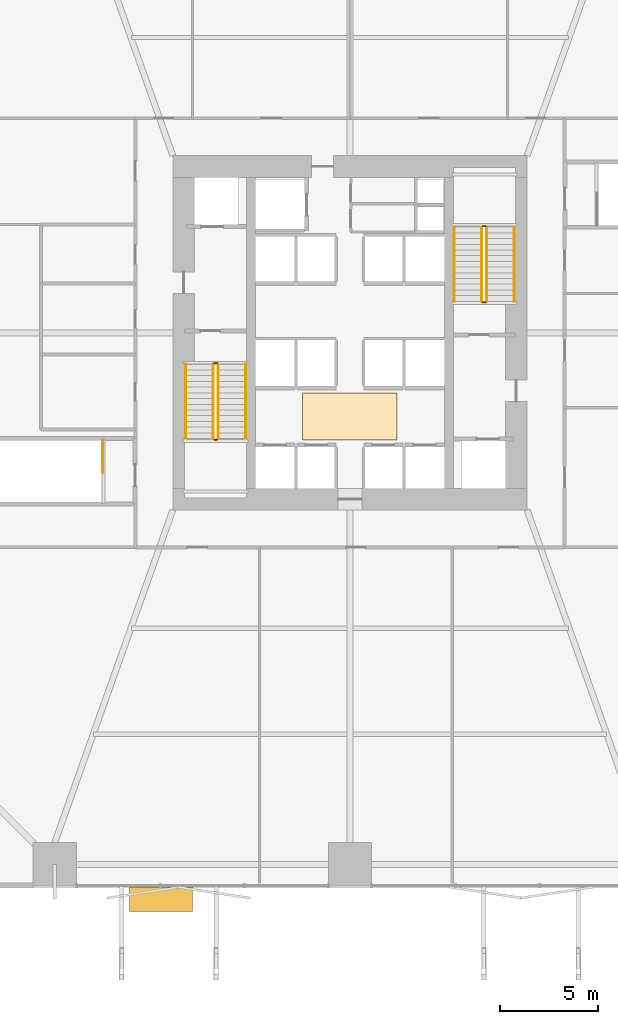
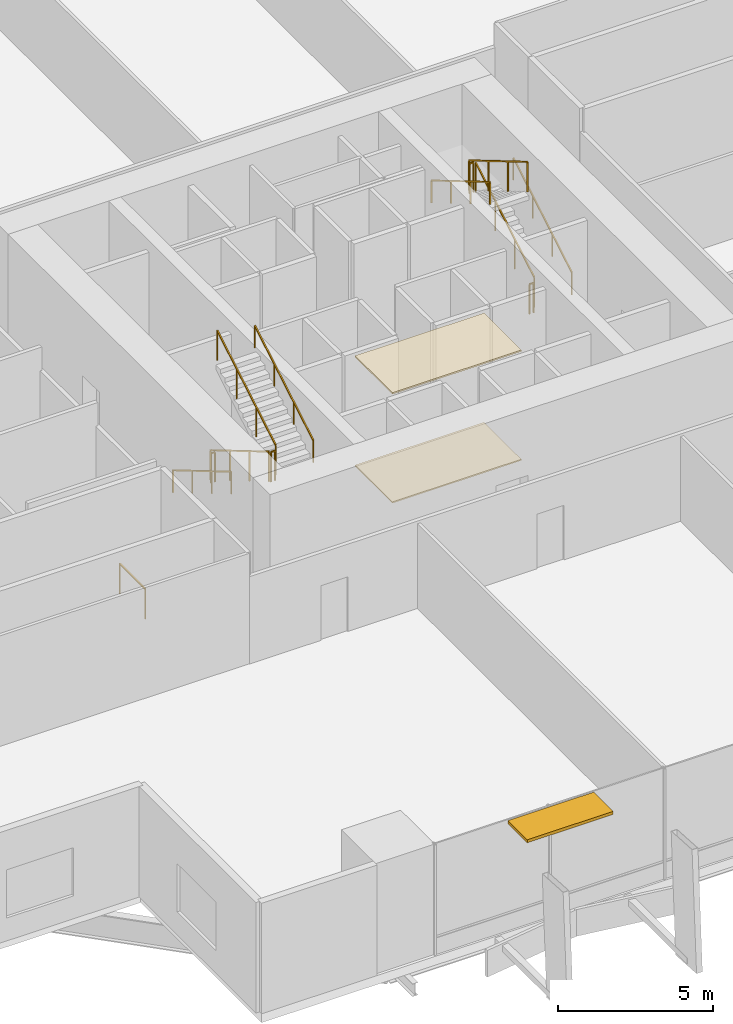
# One storey, part 23 of 24: 13 railings, 2 coverings, 1 shading device.
"""IFC4 building model written with IfcOpenShell, lengths in metres."""

from ifc_helpers import new_model, si_unit, direction, frame, origin, origin_2d, place, context, subcontext, project, spatial, polyline, rectangle, outline, extrude, material, layer, layer_set, type_object, element, save


model = new_model("IFC4")

# Units and contexts
model_context = context("Model", 3, precision=1e-05, world=origin(), true_north=direction((0.0, 1.0)))
body_context = subcontext(model_context, "Body", "Model", "MODEL_VIEW")
ifc_project = project(units=[si_unit("LENGTHUNIT", "METRE"), si_unit("AREAUNIT", "SQUARE_METRE"), si_unit("VOLUMEUNIT", "CUBIC_METRE"), si_unit("PLANEANGLEUNIT", "RADIAN"), si_unit("MASSUNIT", "GRAM", prefix="KILO")], contexts=[model_context])

# Site, building, storey
site_placement = place(None, origin())
site = spatial("IfcSite", under=ifc_project, at=site_placement, CompositionType="ELEMENT")
building_placement = place(site_placement, origin())
building = spatial("IfcBuilding", under=site, at=building_placement, Name="Belovzor Exchange Tower", CompositionType="ELEMENT")
storey_placement = place(building_placement, frame((0.0, 0.0, 19.199951171875)))
storey = spatial("IfcBuildingStorey", under=building, at=storey_placement, Name="L04", CompositionType="ELEMENT", Elevation=19.199951171875)

# Railings
ifc_material_1 = material(Name="Stainless Steel Grade 304", Category="steel")
railing_type_1 = type_object("IfcRailingType", Name="Brushed Stainless Steel Stair Handrail 900", PredefinedType="HANDRAIL", material=ifc_material_1)
railing_1_placement = place(storey_placement, frame((20.449951171875, 27.199951171875, 0.17138671875)))
element("IfcRailing", 1, at=railing_1_placement, inside=storey, type_object=railing_type_1, Name="L04 ST-1 stair handrail 1", PredefinedType="HANDRAIL", context=body_context, shape_type="SweptSolid", body=[
    extrude(rectangle(XDim=0.048095703125, YDim=0.048095703125, at=origin_2d()), frame((0.0, 0.0, 0.8759765625), z_axis=(0.0, -0.860824410104, 0.508902087802), x_axis=(1.0, 0.0, 0.0)), (0.0, 0.0, 1.0), 4.379638671875),
    extrude(rectangle(XDim=0.0419921875, YDim=0.0419921875, at=origin_2d()), origin(), (0.0, 0.0, 1.0), 0.851806640625),
    extrude(rectangle(XDim=0.0419921875, YDim=0.0419921875, at=origin_2d()), frame((0.0, -1.256591796875, 0.742919921875)), (0.0, 0.0, 1.0), 0.851806640625),
    extrude(rectangle(XDim=0.0419921875, YDim=0.0419921875, at=origin_2d()), frame((0.0, -2.513427734375, 1.48583984375)), (0.0, 0.0, 1.0), 0.851806640625),
    extrude(rectangle(XDim=0.0419921875, YDim=0.0419921875, at=origin_2d()), frame((0.0, -3.77001953125, 2.228759765625)), (0.0, 0.0, 1.0), 0.851806640625),
])
railing_2_placement = place(storey_placement, frame((23.5, 23.429931640625, 2.571533203125)))
element("IfcRailing", 2, at=railing_2_placement, inside=storey, type_object=railing_type_1, Name="L04 ST-1 stair handrail 2", PredefinedType="HANDRAIL", context=body_context, shape_type="SweptSolid", body=[
    extrude(rectangle(XDim=0.048095703125, YDim=0.048095703125, at=origin_2d()), frame((0.0, 0.0, 0.8759765625), z_axis=(0.0, 0.860848830602, 0.508860777473), x_axis=(-1.0, 0.0, 0.0)), (0.0, 0.0, 1.0), 4.37939453125),
    extrude(rectangle(XDim=0.0419921875, YDim=0.0419921875, at=origin_2d()), origin(), (0.0, 0.0, 1.0), 0.851806640625),
    extrude(rectangle(XDim=0.0419921875, YDim=0.0419921875, at=origin_2d()), frame((0.0, 1.256591796875, 0.742919921875)), (0.0, 0.0, 1.0), 0.851806640625),
    extrude(rectangle(XDim=0.0419921875, YDim=0.0419921875, at=origin_2d()), frame((0.0, 2.513427734375, 1.485595703125)), (0.0, 0.0, 1.0), 0.851806640625),
    extrude(rectangle(XDim=0.0419921875, YDim=0.0419921875, at=origin_2d()), frame((0.0, 3.77001953125, 2.228515625)), (0.0, 0.0, 1.0), 0.851806640625),
])
railing_3_placement = place(storey_placement, frame((37.14990234375, 30.39990234375, 0.17138671875)))
element("IfcRailing", 3, at=railing_3_placement, inside=storey, type_object=railing_type_1, Name="L04 ST-2 stair handrail 1", PredefinedType="HANDRAIL", context=body_context, shape_type="SweptSolid", body=[
    extrude(rectangle(XDim=0.048095703125, YDim=0.048095703125, at=origin_2d()), frame((0.0, 0.0, 0.8759765625), z_axis=(0.0, 0.860824410104, 0.508902087802), x_axis=(-1.0, 0.0, 0.0)), (0.0, 0.0, 1.0), 4.379638671875),
    extrude(rectangle(XDim=0.0419921875, YDim=0.0419921875, at=origin_2d()), origin(), (0.0, 0.0, 1.0), 0.851806640625),
    extrude(rectangle(XDim=0.0419921875, YDim=0.0419921875, at=origin_2d()), frame((0.0, 1.256591796875, 0.742919921875)), (0.0, 0.0, 1.0), 0.851806640625),
    extrude(rectangle(XDim=0.0419921875, YDim=0.0419921875, at=origin_2d()), frame((0.0, 2.513427734375, 1.48583984375)), (0.0, 0.0, 1.0), 0.851806640625),
    extrude(rectangle(XDim=0.0419921875, YDim=0.0419921875, at=origin_2d()), frame((0.0, 3.77001953125, 2.228759765625)), (0.0, 0.0, 1.0), 0.851806640625),
])
railing_4_placement = place(storey_placement, frame((34.10009765625, 34.169921875, 2.571533203125)))
element("IfcRailing", 4, at=railing_4_placement, inside=storey, type_object=railing_type_1, Name="L04 ST-2 stair handrail 2", PredefinedType="HANDRAIL", context=body_context, shape_type="SweptSolid", body=[
    extrude(rectangle(XDim=0.048095703125, YDim=0.048095703125, at=origin_2d()), frame((0.0, 0.0, 0.8759765625), z_axis=(0.0, -0.860848830602, 0.508860777473), x_axis=(1.0, 0.0, 0.0)), (0.0, 0.0, 1.0), 4.37939453125),
    extrude(rectangle(XDim=0.0419921875, YDim=0.0419921875, at=origin_2d()), origin(), (0.0, 0.0, 1.0), 0.851806640625),
    extrude(rectangle(XDim=0.0419921875, YDim=0.0419921875, at=origin_2d()), frame((0.0, -1.256591796875, 0.742919921875)), (0.0, 0.0, 1.0), 0.851806640625),
    extrude(rectangle(XDim=0.0419921875, YDim=0.0419921875, at=origin_2d()), frame((0.0, -2.513427734375, 1.485595703125)), (0.0, 0.0, 1.0), 0.851806640625),
    extrude(rectangle(XDim=0.0419921875, YDim=0.0419921875, at=origin_2d()), frame((0.0, -3.77001953125, 2.228515625)), (0.0, 0.0, 1.0), 0.851806640625),
])
ifc_material_2 = material(Name="Steel S355", Category="steel")
railing_type_2 = type_object("IfcRailingType", Name="Painted Steel Stairwell Guardrail 1200", PredefinedType="GUARDRAIL", material=ifc_material_2)
railing_5_placement = place(storey_placement, frame((21.85009765625, 27.199951171875, 0.17138671875)))
element("IfcRailing", 5, at=railing_5_placement, inside=storey, type_object=railing_type_2, Name="L04 ST-1 stair guard 1", PredefinedType="GUARDRAIL", context=body_context, shape_type="SweptSolid", body=[
    extrude(rectangle(XDim=0.048095703125, YDim=0.048095703125, at=origin_2d()), frame((0.0, 0.0, 1.17578125), z_axis=(0.0, -0.860824410104, 0.508902087802), x_axis=(1.0, 0.0, 0.0)), (0.0, 0.0, 1.0), 4.379638671875),
    extrude(rectangle(XDim=0.0419921875, YDim=0.0419921875, at=origin_2d()), origin(), (0.0, 0.0, 1.0), 1.15185546875),
    extrude(rectangle(XDim=0.0419921875, YDim=0.0419921875, at=origin_2d()), frame((0.0, -1.256591796875, 0.742919921875)), (0.0, 0.0, 1.0), 1.15185546875),
    extrude(rectangle(XDim=0.0419921875, YDim=0.0419921875, at=origin_2d()), frame((0.0, -2.513427734375, 1.48583984375)), (0.0, 0.0, 1.0), 1.15185546875),
    extrude(rectangle(XDim=0.0419921875, YDim=0.0419921875, at=origin_2d()), frame((0.0, -3.77001953125, 2.228759765625)), (0.0, 0.0, 1.0), 1.15185546875),
])
railing_6_placement = place(storey_placement, frame((21.89990234375, 23.3798828125, 2.400146484375)))
element("IfcRailing", 6, at=railing_6_placement, inside=storey, type_object=railing_type_2, Name="L04 ST-1 stair guard 2", PredefinedType="GUARDRAIL", context=body_context, shape_type="SweptSolid", body=[
    extrude(rectangle(XDim=0.048095703125, YDim=0.048095703125, at=origin_2d()), frame((0.0, 0.0, 1.17578125), z_axis=(1.0, 0.0, 0.0), x_axis=(0.0, 1.0, 0.0)), (0.0, 0.0, 1.0), 0.150146484375),
    extrude(rectangle(XDim=0.0419921875, YDim=0.0419921875, at=origin_2d()), origin(), (0.0, 0.0, 1.0), 1.15185546875),
    extrude(rectangle(XDim=0.0419921875, YDim=0.0419921875, at=origin_2d()), frame((0.150146484375, 0.0, 0.0)), (0.0, 0.0, 1.0), 1.15185546875),
])
railing_7_placement = place(storey_placement, frame((22.10009765625, 23.429931640625, 2.571533203125)))
element("IfcRailing", 7, at=railing_7_placement, inside=storey, type_object=railing_type_2, Name="L04 ST-1 stair guard 3", PredefinedType="GUARDRAIL", context=body_context, shape_type="SweptSolid", body=[
    extrude(rectangle(XDim=0.048095703125, YDim=0.048095703125, at=origin_2d()), frame((0.0, 0.0, 1.17578125), z_axis=(0.0, 0.860848830602, 0.508860777473), x_axis=(-1.0, 0.0, 0.0)), (0.0, 0.0, 1.0), 4.37939453125),
    extrude(rectangle(XDim=0.0419921875, YDim=0.0419921875, at=origin_2d()), origin(), (0.0, 0.0, 1.0), 1.15185546875),
    extrude(rectangle(XDim=0.0419921875, YDim=0.0419921875, at=origin_2d()), frame((0.0, 1.256591796875, 0.742919921875)), (0.0, 0.0, 1.0), 1.15185546875),
    extrude(rectangle(XDim=0.0419921875, YDim=0.0419921875, at=origin_2d()), frame((0.0, 2.513427734375, 1.485595703125)), (0.0, 0.0, 1.0), 1.15185546875),
    extrude(rectangle(XDim=0.0419921875, YDim=0.0419921875, at=origin_2d()), frame((0.0, 3.77001953125, 2.228515625)), (0.0, 0.0, 1.0), 1.15185546875),
])
railing_8_placement = place(storey_placement, frame((21.89990234375, 27.25, 0.0)))
element("IfcRailing", 8, at=railing_8_placement, inside=storey, type_object=railing_type_2, Name="L04 ST-1 stair guard 4", PredefinedType="GUARDRAIL", context=body_context, shape_type="SweptSolid", body=[
    extrude(rectangle(XDim=0.048095703125, YDim=0.048095703125, at=origin_2d()), frame((0.0, 0.0, 1.17578125), z_axis=(1.0, 0.0, 0.0), x_axis=(0.0, 1.0, 0.0)), (0.0, 0.0, 1.0), 0.150146484375),
    extrude(rectangle(XDim=0.0419921875, YDim=0.0419921875, at=origin_2d()), origin(), (0.0, 0.0, 1.0), 1.15185546875),
    extrude(rectangle(XDim=0.0419921875, YDim=0.0419921875, at=origin_2d()), frame((0.150146484375, 0.0, 0.0)), (0.0, 0.0, 1.0), 1.15185546875),
])
railing_9_placement = place(storey_placement, frame((35.75, 30.39990234375, 0.17138671875)))
element("IfcRailing", 9, at=railing_9_placement, inside=storey, type_object=railing_type_2, Name="L04 ST-2 stair guard 1", PredefinedType="GUARDRAIL", context=body_context, shape_type="SweptSolid", body=[
    extrude(rectangle(XDim=0.048095703125, YDim=0.048095703125, at=origin_2d()), frame((0.0, 0.0, 1.17578125), z_axis=(0.0, 0.860824410104, 0.508902087802), x_axis=(-1.0, 0.0, 0.0)), (0.0, 0.0, 1.0), 4.379638671875),
    extrude(rectangle(XDim=0.0419921875, YDim=0.0419921875, at=origin_2d()), origin(), (0.0, 0.0, 1.0), 1.15185546875),
    extrude(rectangle(XDim=0.0419921875, YDim=0.0419921875, at=origin_2d()), frame((0.0, 1.256591796875, 0.742919921875)), (0.0, 0.0, 1.0), 1.15185546875),
    extrude(rectangle(XDim=0.0419921875, YDim=0.0419921875, at=origin_2d()), frame((0.0, 2.513427734375, 1.48583984375)), (0.0, 0.0, 1.0), 1.15185546875),
    extrude(rectangle(XDim=0.0419921875, YDim=0.0419921875, at=origin_2d()), frame((0.0, 3.77001953125, 2.228759765625)), (0.0, 0.0, 1.0), 1.15185546875),
])
railing_10_placement = place(storey_placement, frame((35.699951171875, 34.219970703125, 2.400146484375)))
element("IfcRailing", 10, at=railing_10_placement, inside=storey, type_object=railing_type_2, Name="L04 ST-2 stair guard 2", PredefinedType="GUARDRAIL", context=body_context, shape_type="SweptSolid", body=[
    extrude(rectangle(XDim=0.048095703125, YDim=0.048095703125, at=origin_2d()), frame((0.0, 0.0, 1.17578125), z_axis=(-1.0, 0.0, 0.0), x_axis=(0.0, -1.0, 0.0)), (0.0, 0.0, 1.0), 0.14990234375),
    extrude(rectangle(XDim=0.0419921875, YDim=0.0419921875, at=origin_2d()), origin(), (0.0, 0.0, 1.0), 1.15185546875),
    extrude(rectangle(XDim=0.0419921875, YDim=0.0419921875, at=origin_2d()), frame((-0.14990234375, 0.0, 0.0)), (0.0, 0.0, 1.0), 1.15185546875),
])
railing_11_placement = place(storey_placement, frame((35.5, 34.169921875, 2.571533203125)))
element("IfcRailing", 11, at=railing_11_placement, inside=storey, type_object=railing_type_2, Name="L04 ST-2 stair guard 3", PredefinedType="GUARDRAIL", context=body_context, shape_type="SweptSolid", body=[
    extrude(rectangle(XDim=0.048095703125, YDim=0.048095703125, at=origin_2d()), frame((0.0, 0.0, 1.17578125), z_axis=(0.0, -0.860848830602, 0.508860777473), x_axis=(1.0, 0.0, 0.0)), (0.0, 0.0, 1.0), 4.37939453125),
    extrude(rectangle(XDim=0.0419921875, YDim=0.0419921875, at=origin_2d()), origin(), (0.0, 0.0, 1.0), 1.15185546875),
    extrude(rectangle(XDim=0.0419921875, YDim=0.0419921875, at=origin_2d()), frame((0.0, -1.256591796875, 0.742919921875)), (0.0, 0.0, 1.0), 1.15185546875),
    extrude(rectangle(XDim=0.0419921875, YDim=0.0419921875, at=origin_2d()), frame((0.0, -2.513427734375, 1.485595703125)), (0.0, 0.0, 1.0), 1.15185546875),
    extrude(rectangle(XDim=0.0419921875, YDim=0.0419921875, at=origin_2d()), frame((0.0, -3.77001953125, 2.228515625)), (0.0, 0.0, 1.0), 1.15185546875),
])
railing_12_placement = place(storey_placement, frame((35.699951171875, 30.35009765625, 0.0)))
element("IfcRailing", 12, at=railing_12_placement, inside=storey, type_object=railing_type_2, Name="L04 ST-2 stair guard 4", PredefinedType="GUARDRAIL", context=body_context, shape_type="SweptSolid", body=[
    extrude(rectangle(XDim=0.048095703125, YDim=0.048095703125, at=origin_2d()), frame((0.0, 0.0, 1.17578125), z_axis=(-1.0, 0.0, 0.0), x_axis=(0.0, -1.0, 0.0)), (0.0, 0.0, 1.0), 0.14990234375),
    extrude(rectangle(XDim=0.0419921875, YDim=0.0419921875, at=origin_2d()), origin(), (0.0, 0.0, 1.0), 1.15185546875),
    extrude(rectangle(XDim=0.0419921875, YDim=0.0419921875, at=origin_2d()), frame((-0.14990234375, 0.0, 0.0)), (0.0, 0.0, 1.0), 1.15185546875),
])
railing_13_placement = place(storey_placement, frame((16.25, 23.35009765625, 0.0)))
element("IfcRailing", 13, at=railing_13_placement, inside=storey, type_object=railing_type_2, Name="L04 ST-3 top well guard 1", PredefinedType="GUARDRAIL", context=body_context, shape_type="SweptSolid", body=[
    extrude(rectangle(XDim=0.048095703125, YDim=0.048095703125, at=origin_2d()), frame((0.0, 0.0, 1.17578125), z_axis=(0.0, -1.0, 0.0), x_axis=(1.0, 0.0, 0.0)), (0.0, 0.0, 1.0), 1.650146484375),
    extrude(rectangle(XDim=0.0419921875, YDim=0.0419921875, at=origin_2d()), origin(), (0.0, 0.0, 1.0), 1.15185546875),
    extrude(rectangle(XDim=0.0419921875, YDim=0.0419921875, at=origin_2d()), frame((0.0, -1.650146484375, 0.0)), (0.0, 0.0, 1.0), 1.15185546875),
])

# Coverings
ifc_material_3 = material(Name="Perforated Powder-Coated Aluminium", Category="aluminium")
ifc_layer_1 = layer(ifc_material_3, 0.06005859375)
ifc_layer_set_1 = layer_set([ifc_layer_1], Name="Perforated Powder-Coated Aluminium")
covering_type_1 = type_object("IfcCoveringType", Name="Perforated Acoustic Metal Tile Suspended Ceiling 60", PredefinedType="CEILING", material=ifc_layer_set_1)
covering_1_placement = place(storey_placement, frame((0.0, 0.0, 4.2900390625)))
element("IfcCovering", 14, at=covering_1_placement, inside=storey, type_object=covering_type_1, Name="CLG-AC60 Suspended Ceiling CLG-L04-LOB", PredefinedType="CEILING", context=body_context, shape_type="SweptSolid", body=[
    extrude(outline(polyline([(26.39990234375, 23.35009765625), (31.199951171875, 23.35009765625), (31.199951171875, 25.75), (26.39990234375, 25.75), (26.39990234375, 23.35009765625)])), origin(), (0.0, 0.0, 1.0), 0.06005859375),
])
ifc_material_4 = material(Name="Polished Natural Granite Tile", Category="masonry")
ifc_layer_2 = layer(ifc_material_4, 0.050048828125)
ifc_layer_set_2 = layer_set([ifc_layer_2], Name="Polished Natural Granite Tile")
covering_type_2 = type_object("IfcCoveringType", Name="Polished Karelian Granite & Raised Access Floor Finish 50", PredefinedType="FLOORING", material=ifc_layer_set_2)
covering_2_placement = place(storey_placement, origin())
element("IfcCovering", 15, at=covering_2_placement, inside=storey, type_object=covering_type_2, Name="FLR-GR50 Floor Finish FLR-L04-LOB", PredefinedType="FLOORING", context=body_context, shape_type="SweptSolid", body=[
    extrude(outline(polyline([(26.39990234375, 23.35009765625), (31.199951171875, 23.35009765625), (31.199951171875, 25.75), (26.39990234375, 25.75), (26.39990234375, 23.35009765625)])), origin(), (0.0, 0.0, 1.0), 0.050048828125),
])

# Shading device
ifc_material_5 = material(Name="Extruded Architectural Terracotta", Category="masonry")
ifc_layer_3 = layer(ifc_material_5, 0.1201171875)
ifc_layer_set_3 = layer_set([ifc_layer_3], Name="Extruded Architectural Terracotta")
shading_device_type = type_object("IfcShadingDeviceType", Name="Streamline Terracotta Horizontal Sunshade Hood 1250", PredefinedType="AWNING", material=ifc_layer_set_3)
shading_device_placement = place(storey_placement, frame((19.199951171875, 0.034912109375, 4.22998046875), z_axis=(0.0, 0.0, 1.0), x_axis=(1.0, 0.0, 0.0)))
element("IfcShadingDevice", 16, at=shading_device_placement, inside=storey, type_object=shading_device_type, Name="SHD-TC125 Terracotta Sunshade L04 S", PredefinedType="AWNING", context=body_context, shape_type="SweptSolid", body=[
    extrude(rectangle(XDim=3.199951171875, YDim=1.25, at=origin_2d()), origin(), (0.0, 0.0, 1.0), 0.1201171875),
])

save(model, "model.ifc")
